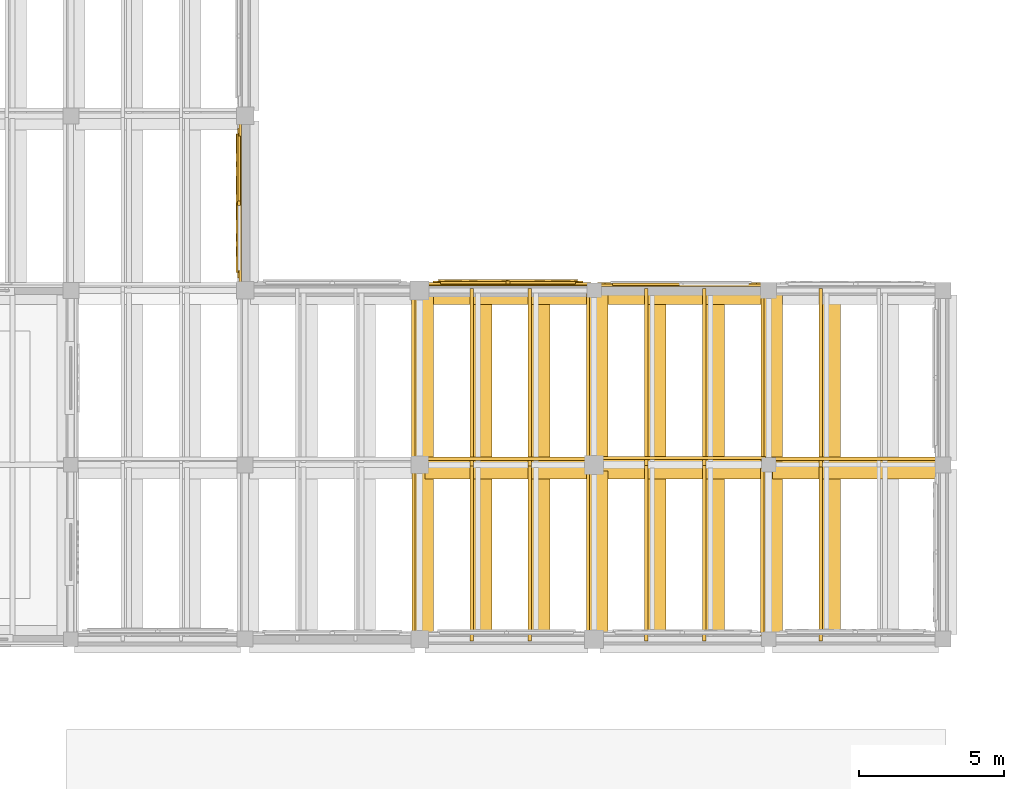
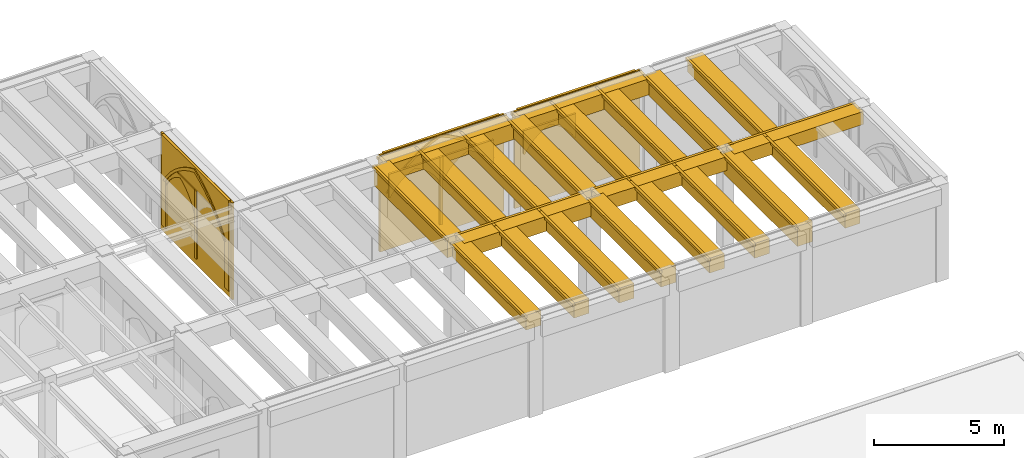
# One storey, part 125 of 127: 56 coverings.
"""IFC4 building model written with IfcOpenShell, lengths in metres."""

from ifc_helpers import new_model, si_unit, direction, frame, origin, origin_2d, place, context, subcontext, project, spatial, polyline, rectangle, outline, extrude, material, type_object, element, save


model = new_model("IFC4")

# Units and contexts
model_context = context("Model", 3, precision=1e-05, world=origin(), true_north=direction((0.0, 1.0)))
body_context = subcontext(model_context, "Body", "Model", "MODEL_VIEW")
ifc_project = project(units=[si_unit("LENGTHUNIT", "METRE"), si_unit("AREAUNIT", "SQUARE_METRE"), si_unit("VOLUMEUNIT", "CUBIC_METRE"), si_unit("PLANEANGLEUNIT", "RADIAN"), si_unit("MASSUNIT", "GRAM", prefix="KILO")], contexts=[model_context])

# Site, building, storey
site_placement = place(None, origin())
site = spatial("IfcSite", under=ifc_project, at=site_placement, CompositionType="ELEMENT")
building_placement = place(site_placement, origin())
building = spatial("IfcBuilding", under=site, at=building_placement, Name="Cumevento Cable Car Station", CompositionType="ELEMENT")
storey_placement = place(building_placement, frame((0.0, 0.0, 4.5)))
storey = spatial("IfcBuildingStorey", under=building, at=storey_placement, Name="L02", CompositionType="ELEMENT", Elevation=4.5)

# Coverings
ifc_material = material(Name="Gnaisse Facoidal Stone Ashlar 85 MPa", Category="masonry")
covering_type = type_object("IfcCoveringType", Name="Gnaisse Ashlar Cladding CV-CL01", PredefinedType="CLADDING", material=ifc_material)
covering_1_placement = place(storey_placement, frame((150.987548828125, 38.851318359375, 3.77587890625), z_axis=(0.0, 0.0, 1.0), x_axis=(1.0, 0.0, 0.0)))
element("IfcCovering", 1, at=covering_1_placement, inside=storey, type_object=covering_type, Name="Gothic Stone Spandrel Stringcourse sc:0462", PredefinedType="CLADDING", context=body_context, shape_type="SweptSolid", body=[
    extrude(rectangle(XDim=5.614990234375, YDim=0.66259765625, at=origin_2d()), origin(), (0.0, 0.0, 1.0), 0.694091796875),
])
covering_2_placement = place(storey_placement, frame((150.987548828125, 39.2099609375, 4.340087890625), z_axis=(0.0, 0.0, 1.0), x_axis=(1.0, 0.0, 0.0)))
element("IfcCovering", 2, at=covering_2_placement, inside=storey, type_object=covering_type, Name="Gothic Cornice Dripstone Lip sc:0462", PredefinedType="CLADDING", context=body_context, shape_type="SweptSolid", body=[
    extrude(rectangle(XDim=5.655029296875, YDim=0.114990234375, at=origin_2d()), origin(), (0.0, 0.0, 1.0), 0.1298828125),
])
covering_3_placement = place(storey_placement, frame((157.03759765625, 38.863525390625, 3.823974609375), z_axis=(0.0, 0.0, 1.0), x_axis=(1.0, 0.0, 0.0)))
element("IfcCovering", 3, at=covering_3_placement, inside=storey, type_object=covering_type, Name="Gothic Stone Spandrel Stringcourse sc:0463", PredefinedType="CLADDING", context=body_context, shape_type="SweptSolid", body=[
    extrude(rectangle(XDim=5.6650390625, YDim=0.68701171875, at=origin_2d()), origin(), (0.0, 0.0, 1.0), 0.64599609375),
])
covering_4_placement = place(storey_placement, frame((157.03759765625, 39.234619140625, 4.340087890625), z_axis=(0.0, 0.0, 1.0), x_axis=(1.0, 0.0, 0.0)))
element("IfcCovering", 4, at=covering_4_placement, inside=storey, type_object=covering_type, Name="Gothic Cornice Dripstone Lip sc:0463", PredefinedType="CLADDING", context=body_context, shape_type="SweptSolid", body=[
    extrude(rectangle(XDim=5.705078125, YDim=0.114990234375, at=origin_2d()), origin(), (0.0, 0.0, 1.0), 0.1298828125),
])
covering_5_placement = place(storey_placement, frame((162.987548828125, 38.85009765625, 3.864013671875), z_axis=(0.0, 0.0, 1.0), x_axis=(1.0, 0.0, 0.0)))
element("IfcCovering", 5, at=covering_5_placement, inside=storey, type_object=covering_type, Name="Gothic Stone Spandrel Stringcourse sc:0464", PredefinedType="CLADDING", context=body_context, shape_type="SweptSolid", body=[
    extrude(rectangle(XDim=5.715087890625, YDim=0.659912109375, at=origin_2d()), origin(), (0.0, 0.0, 1.0), 0.60595703125),
])
covering_6_placement = place(storey_placement, frame((162.987548828125, 39.20751953125, 4.340087890625), z_axis=(0.0, 0.0, 1.0), x_axis=(1.0, 0.0, 0.0)))
element("IfcCovering", 6, at=covering_6_placement, inside=storey, type_object=covering_type, Name="Gothic Cornice Dripstone Lip sc:0464", PredefinedType="CLADDING", context=body_context, shape_type="SweptSolid", body=[
    extrude(rectangle(XDim=5.7548828125, YDim=0.114990234375, at=origin_2d()), origin(), (0.0, 0.0, 1.0), 0.1298828125),
])
covering_7_placement = place(storey_placement, frame((151.03759765625, 44.85009765625, 3.722900390625), z_axis=(0.0, 0.0, 1.0), x_axis=(1.0, 0.0, 0.0)))
element("IfcCovering", 7, at=covering_7_placement, inside=storey, type_object=covering_type, Name="Gothic Stone Spandrel Stringcourse sc:0467", PredefinedType="CLADDING", context=body_context, shape_type="SweptSolid", body=[
    extrude(rectangle(XDim=5.6650390625, YDim=0.659912109375, at=origin_2d()), origin(), (0.0, 0.0, 1.0), 0.7470703125),
])
covering_8_placement = place(storey_placement, frame((151.03759765625, 45.20751953125, 4.340087890625), z_axis=(0.0, 0.0, 1.0), x_axis=(1.0, 0.0, 0.0)))
element("IfcCovering", 8, at=covering_8_placement, inside=storey, type_object=covering_type, Name="Gothic Cornice Dripstone Lip sc:0467", PredefinedType="CLADDING", context=body_context, shape_type="SweptSolid", body=[
    extrude(rectangle(XDim=5.705078125, YDim=0.114990234375, at=origin_2d()), origin(), (0.0, 0.0, 1.0), 0.1298828125),
])
covering_9_placement = place(storey_placement, frame((156.987548828125, 44.85009765625, 3.722900390625), z_axis=(0.0, 0.0, 1.0), x_axis=(1.0, 0.0, 0.0)))
element("IfcCovering", 9, at=covering_9_placement, inside=storey, type_object=covering_type, Name="Gothic Stone Spandrel Stringcourse sc:0468", PredefinedType="CLADDING", context=body_context, shape_type="SweptSolid", body=[
    extrude(rectangle(XDim=5.715087890625, YDim=0.659912109375, at=origin_2d()), origin(), (0.0, 0.0, 1.0), 0.7470703125),
])
covering_10_placement = place(storey_placement, frame((156.987548828125, 45.20751953125, 4.340087890625), z_axis=(0.0, 0.0, 1.0), x_axis=(1.0, 0.0, 0.0)))
element("IfcCovering", 10, at=covering_10_placement, inside=storey, type_object=covering_type, Name="Gothic Cornice Dripstone Lip sc:0468", PredefinedType="CLADDING", context=body_context, shape_type="SweptSolid", body=[
    extrude(rectangle(XDim=5.7548828125, YDim=0.114990234375, at=origin_2d()), origin(), (0.0, 0.0, 1.0), 0.1298828125),
])
covering_11_placement = place(storey_placement, frame((148.148681640625, 36.0, 3.77587890625), z_axis=(0.0, 0.0, 1.0), x_axis=(0.0, 1.0, 0.0)))
element("IfcCovering", 11, at=covering_11_placement, inside=storey, type_object=covering_type, Name="Gothic Stone Spandrel Stringcourse sc:0472", PredefinedType="CLADDING", context=body_context, shape_type="SweptSolid", body=[
    extrude(rectangle(XDim=5.639892578125, YDim=0.66259765625, at=origin_2d()), origin(), (0.0, 0.0, 1.0), 0.694091796875),
])
covering_12_placement = place(storey_placement, frame((147.7900390625, 36.0, 4.340087890625), z_axis=(0.0, 0.0, 1.0), x_axis=(0.0, 1.0, 0.0)))
element("IfcCovering", 12, at=covering_12_placement, inside=storey, type_object=covering_type, Name="Gothic Cornice Dripstone Lip sc:0472", PredefinedType="CLADDING", context=body_context, shape_type="SweptSolid", body=[
    extrude(rectangle(XDim=5.679931640625, YDim=0.114990234375, at=origin_2d()), origin(), (0.0, 0.0, 1.0), 0.1298828125),
])
covering_13_placement = place(storey_placement, frame((148.14306640625, 41.987548828125, 3.52197265625), z_axis=(0.0, 0.0, 1.0), x_axis=(0.0, 1.0, 0.0)))
element("IfcCovering", 13, at=covering_13_placement, inside=storey, type_object=covering_type, Name="Gothic Stone Spandrel Stringcourse sc:0473", PredefinedType="CLADDING", context=body_context, shape_type="SweptSolid", body=[
    extrude(rectangle(XDim=5.614990234375, YDim=0.674072265625, at=origin_2d()), origin(), (0.0, 0.0, 1.0), 0.947998046875),
])
covering_14_placement = place(storey_placement, frame((147.778564453125, 41.987548828125, 4.340087890625), z_axis=(0.0, 0.0, 1.0), x_axis=(0.0, 1.0, 0.0)))
element("IfcCovering", 14, at=covering_14_placement, inside=storey, type_object=covering_type, Name="Gothic Cornice Dripstone Lip sc:0473", PredefinedType="CLADDING", context=body_context, shape_type="SweptSolid", body=[
    extrude(rectangle(XDim=5.655029296875, YDim=0.114990234375, at=origin_2d()), origin(), (0.0, 0.0, 1.0), 0.1298828125),
])
covering_15_placement = place(storey_placement, frame((154.14990234375, 36.0, 3.6728515625), z_axis=(0.0, 0.0, 1.0), x_axis=(0.0, 1.0, 0.0)))
element("IfcCovering", 15, at=covering_15_placement, inside=storey, type_object=covering_type, Name="Gothic Stone Spandrel Stringcourse sc:0474", PredefinedType="CLADDING", context=body_context, shape_type="SweptSolid", body=[
    extrude(rectangle(XDim=5.590087890625, YDim=0.659912109375, at=origin_2d()), origin(), (0.0, 0.0, 1.0), 0.797119140625),
])
covering_16_placement = place(storey_placement, frame((153.79248046875, 36.0, 4.340087890625), z_axis=(0.0, 0.0, 1.0), x_axis=(0.0, 1.0, 0.0)))
element("IfcCovering", 16, at=covering_16_placement, inside=storey, type_object=covering_type, Name="Gothic Cornice Dripstone Lip sc:0474", PredefinedType="CLADDING", context=body_context, shape_type="SweptSolid", body=[
    extrude(rectangle(XDim=5.6298828125, YDim=0.114990234375, at=origin_2d()), origin(), (0.0, 0.0, 1.0), 0.1298828125),
])
covering_17_placement = place(storey_placement, frame((154.148681640625, 42.03759765625, 3.77587890625), z_axis=(0.0, 0.0, 1.0), x_axis=(0.0, 1.0, 0.0)))
element("IfcCovering", 17, at=covering_17_placement, inside=storey, type_object=covering_type, Name="Gothic Stone Spandrel Stringcourse sc:0475", PredefinedType="CLADDING", context=body_context, shape_type="SweptSolid", body=[
    extrude(rectangle(XDim=5.6650390625, YDim=0.66259765625, at=origin_2d()), origin(), (0.0, 0.0, 1.0), 0.694091796875),
])
covering_18_placement = place(storey_placement, frame((153.7900390625, 42.03759765625, 4.340087890625), z_axis=(0.0, 0.0, 1.0), x_axis=(0.0, 1.0, 0.0)))
element("IfcCovering", 18, at=covering_18_placement, inside=storey, type_object=covering_type, Name="Gothic Cornice Dripstone Lip sc:0475", PredefinedType="CLADDING", context=body_context, shape_type="SweptSolid", body=[
    extrude(rectangle(XDim=5.705078125, YDim=0.114990234375, at=origin_2d()), origin(), (0.0, 0.0, 1.0), 0.1298828125),
])
covering_19_placement = place(storey_placement, frame((160.14306640625, 36.0, 3.52197265625), z_axis=(0.0, 0.0, 1.0), x_axis=(0.0, 1.0, 0.0)))
element("IfcCovering", 19, at=covering_19_placement, inside=storey, type_object=covering_type, Name="Gothic Stone Spandrel Stringcourse sc:0476", PredefinedType="CLADDING", context=body_context, shape_type="SweptSolid", body=[
    extrude(rectangle(XDim=5.739990234375, YDim=0.674072265625, at=origin_2d()), origin(), (0.0, 0.0, 1.0), 0.947998046875),
])
covering_20_placement = place(storey_placement, frame((159.778564453125, 36.0, 4.340087890625), z_axis=(0.0, 0.0, 1.0), x_axis=(0.0, 1.0, 0.0)))
element("IfcCovering", 20, at=covering_20_placement, inside=storey, type_object=covering_type, Name="Gothic Cornice Dripstone Lip sc:0476", PredefinedType="CLADDING", context=body_context, shape_type="SweptSolid", body=[
    extrude(rectangle(XDim=5.780029296875, YDim=0.114990234375, at=origin_2d()), origin(), (0.0, 0.0, 1.0), 0.1298828125),
])
covering_21_placement = place(storey_placement, frame((160.14990234375, 41.987548828125, 3.6728515625), z_axis=(0.0, 0.0, 1.0), x_axis=(0.0, 1.0, 0.0)))
element("IfcCovering", 21, at=covering_21_placement, inside=storey, type_object=covering_type, Name="Gothic Stone Spandrel Stringcourse sc:0477", PredefinedType="CLADDING", context=body_context, shape_type="SweptSolid", body=[
    extrude(rectangle(XDim=5.715087890625, YDim=0.659912109375, at=origin_2d()), origin(), (0.0, 0.0, 1.0), 0.797119140625),
])
covering_22_placement = place(storey_placement, frame((159.79248046875, 41.987548828125, 4.340087890625), z_axis=(0.0, 0.0, 1.0), x_axis=(0.0, 1.0, 0.0)))
element("IfcCovering", 22, at=covering_22_placement, inside=storey, type_object=covering_type, Name="Gothic Cornice Dripstone Lip sc:0477", PredefinedType="CLADDING", context=body_context, shape_type="SweptSolid", body=[
    extrude(rectangle(XDim=5.7548828125, YDim=0.114990234375, at=origin_2d()), origin(), (0.0, 0.0, 1.0), 0.1298828125),
])
covering_23_placement = place(storey_placement, frame((150.14990234375, 35.9931640625, 3.77490234375), z_axis=(0.0, 0.0, 1.0), x_axis=(0.0, 1.0, 0.0)))
element("IfcCovering", 23, at=covering_23_placement, inside=storey, type_object=covering_type, Name="Gothic Stone Spandrel Stringcourse sc:0560", PredefinedType="CLADDING", context=body_context, shape_type="SweptSolid", body=[
    extrude(rectangle(XDim=6.072509765625, YDim=0.659912109375, at=origin_2d()), origin(), (0.0, 0.0, 1.0), 0.695068359375),
])
covering_24_placement = place(storey_placement, frame((149.79248046875, 35.9931640625, 4.340087890625), z_axis=(0.0, 0.0, 1.0), x_axis=(0.0, 1.0, 0.0)))
element("IfcCovering", 24, at=covering_24_placement, inside=storey, type_object=covering_type, Name="Gothic Cornice Dripstone Lip sc:0560", PredefinedType="CLADDING", context=body_context, shape_type="SweptSolid", body=[
    extrude(rectangle(XDim=6.112548828125, YDim=0.114990234375, at=origin_2d()), origin(), (0.0, 0.0, 1.0), 0.1298828125),
])
covering_25_placement = place(storey_placement, frame((150.14990234375, 42.0068359375, 3.77490234375), z_axis=(0.0, 0.0, 1.0), x_axis=(0.0, 1.0, 0.0)))
element("IfcCovering", 25, at=covering_25_placement, inside=storey, type_object=covering_type, Name="Gothic Stone Spandrel Stringcourse sc:0561", PredefinedType="CLADDING", context=body_context, shape_type="SweptSolid", body=[
    extrude(rectangle(XDim=6.072509765625, YDim=0.659912109375, at=origin_2d()), origin(), (0.0, 0.0, 1.0), 0.695068359375),
])
covering_26_placement = place(storey_placement, frame((149.79248046875, 42.0068359375, 4.340087890625), z_axis=(0.0, 0.0, 1.0), x_axis=(0.0, 1.0, 0.0)))
element("IfcCovering", 26, at=covering_26_placement, inside=storey, type_object=covering_type, Name="Gothic Cornice Dripstone Lip sc:0561", PredefinedType="CLADDING", context=body_context, shape_type="SweptSolid", body=[
    extrude(rectangle(XDim=6.112548828125, YDim=0.114990234375, at=origin_2d()), origin(), (0.0, 0.0, 1.0), 0.1298828125),
])
covering_27_placement = place(storey_placement, frame((152.14990234375, 35.9931640625, 3.77490234375), z_axis=(0.0, 0.0, 1.0), x_axis=(0.0, 1.0, 0.0)))
element("IfcCovering", 27, at=covering_27_placement, inside=storey, type_object=covering_type, Name="Gothic Stone Spandrel Stringcourse sc:0562", PredefinedType="CLADDING", context=body_context, shape_type="SweptSolid", body=[
    extrude(rectangle(XDim=6.072509765625, YDim=0.659912109375, at=origin_2d()), origin(), (0.0, 0.0, 1.0), 0.695068359375),
])
covering_28_placement = place(storey_placement, frame((151.79248046875, 35.9931640625, 4.340087890625), z_axis=(0.0, 0.0, 1.0), x_axis=(0.0, 1.0, 0.0)))
element("IfcCovering", 28, at=covering_28_placement, inside=storey, type_object=covering_type, Name="Gothic Cornice Dripstone Lip sc:0562", PredefinedType="CLADDING", context=body_context, shape_type="SweptSolid", body=[
    extrude(rectangle(XDim=6.112548828125, YDim=0.114990234375, at=origin_2d()), origin(), (0.0, 0.0, 1.0), 0.1298828125),
])
covering_29_placement = place(storey_placement, frame((152.14990234375, 42.0068359375, 3.77490234375), z_axis=(0.0, 0.0, 1.0), x_axis=(0.0, 1.0, 0.0)))
element("IfcCovering", 29, at=covering_29_placement, inside=storey, type_object=covering_type, Name="Gothic Stone Spandrel Stringcourse sc:0563", PredefinedType="CLADDING", context=body_context, shape_type="SweptSolid", body=[
    extrude(rectangle(XDim=6.072509765625, YDim=0.659912109375, at=origin_2d()), origin(), (0.0, 0.0, 1.0), 0.695068359375),
])
covering_30_placement = place(storey_placement, frame((151.79248046875, 42.0068359375, 4.340087890625), z_axis=(0.0, 0.0, 1.0), x_axis=(0.0, 1.0, 0.0)))
element("IfcCovering", 30, at=covering_30_placement, inside=storey, type_object=covering_type, Name="Gothic Cornice Dripstone Lip sc:0563", PredefinedType="CLADDING", context=body_context, shape_type="SweptSolid", body=[
    extrude(rectangle(XDim=6.112548828125, YDim=0.114990234375, at=origin_2d()), origin(), (0.0, 0.0, 1.0), 0.1298828125),
])
covering_31_placement = place(storey_placement, frame((156.14990234375, 35.98095703125, 3.77490234375), z_axis=(0.0, 0.0, 1.0), x_axis=(0.0, 1.0, 0.0)))
element("IfcCovering", 31, at=covering_31_placement, inside=storey, type_object=covering_type, Name="Gothic Stone Spandrel Stringcourse sc:0564", PredefinedType="CLADDING", context=body_context, shape_type="SweptSolid", body=[
    extrude(rectangle(XDim=6.048095703125, YDim=0.659912109375, at=origin_2d()), origin(), (0.0, 0.0, 1.0), 0.695068359375),
])
covering_32_placement = place(storey_placement, frame((155.79248046875, 35.98095703125, 4.340087890625), z_axis=(0.0, 0.0, 1.0), x_axis=(0.0, 1.0, 0.0)))
element("IfcCovering", 32, at=covering_32_placement, inside=storey, type_object=covering_type, Name="Gothic Cornice Dripstone Lip sc:0564", PredefinedType="CLADDING", context=body_context, shape_type="SweptSolid", body=[
    extrude(rectangle(XDim=6.087890625, YDim=0.114990234375, at=origin_2d()), origin(), (0.0, 0.0, 1.0), 0.1298828125),
])
covering_33_placement = place(storey_placement, frame((156.14990234375, 42.01904296875, 3.77490234375), z_axis=(0.0, 0.0, 1.0), x_axis=(0.0, 1.0, 0.0)))
element("IfcCovering", 33, at=covering_33_placement, inside=storey, type_object=covering_type, Name="Gothic Stone Spandrel Stringcourse sc:0565", PredefinedType="CLADDING", context=body_context, shape_type="SweptSolid", body=[
    extrude(rectangle(XDim=6.048095703125, YDim=0.659912109375, at=origin_2d()), origin(), (0.0, 0.0, 1.0), 0.695068359375),
])
covering_34_placement = place(storey_placement, frame((155.79248046875, 42.01904296875, 4.340087890625), z_axis=(0.0, 0.0, 1.0), x_axis=(0.0, 1.0, 0.0)))
element("IfcCovering", 34, at=covering_34_placement, inside=storey, type_object=covering_type, Name="Gothic Cornice Dripstone Lip sc:0565", PredefinedType="CLADDING", context=body_context, shape_type="SweptSolid", body=[
    extrude(rectangle(XDim=6.087890625, YDim=0.114990234375, at=origin_2d()), origin(), (0.0, 0.0, 1.0), 0.1298828125),
])
covering_35_placement = place(storey_placement, frame((158.14990234375, 35.98095703125, 3.77490234375), z_axis=(0.0, 0.0, 1.0), x_axis=(0.0, 1.0, 0.0)))
element("IfcCovering", 35, at=covering_35_placement, inside=storey, type_object=covering_type, Name="Gothic Stone Spandrel Stringcourse sc:0566", PredefinedType="CLADDING", context=body_context, shape_type="SweptSolid", body=[
    extrude(rectangle(XDim=6.048095703125, YDim=0.659912109375, at=origin_2d()), origin(), (0.0, 0.0, 1.0), 0.695068359375),
])
covering_36_placement = place(storey_placement, frame((157.79248046875, 35.98095703125, 4.340087890625), z_axis=(0.0, 0.0, 1.0), x_axis=(0.0, 1.0, 0.0)))
element("IfcCovering", 36, at=covering_36_placement, inside=storey, type_object=covering_type, Name="Gothic Cornice Dripstone Lip sc:0566", PredefinedType="CLADDING", context=body_context, shape_type="SweptSolid", body=[
    extrude(rectangle(XDim=6.087890625, YDim=0.114990234375, at=origin_2d()), origin(), (0.0, 0.0, 1.0), 0.1298828125),
])
covering_37_placement = place(storey_placement, frame((158.14990234375, 42.01904296875, 3.77490234375), z_axis=(0.0, 0.0, 1.0), x_axis=(0.0, 1.0, 0.0)))
element("IfcCovering", 37, at=covering_37_placement, inside=storey, type_object=covering_type, Name="Gothic Stone Spandrel Stringcourse sc:0567", PredefinedType="CLADDING", context=body_context, shape_type="SweptSolid", body=[
    extrude(rectangle(XDim=6.048095703125, YDim=0.659912109375, at=origin_2d()), origin(), (0.0, 0.0, 1.0), 0.695068359375),
])
covering_38_placement = place(storey_placement, frame((157.79248046875, 42.01904296875, 4.340087890625), z_axis=(0.0, 0.0, 1.0), x_axis=(0.0, 1.0, 0.0)))
element("IfcCovering", 38, at=covering_38_placement, inside=storey, type_object=covering_type, Name="Gothic Cornice Dripstone Lip sc:0567", PredefinedType="CLADDING", context=body_context, shape_type="SweptSolid", body=[
    extrude(rectangle(XDim=6.087890625, YDim=0.114990234375, at=origin_2d()), origin(), (0.0, 0.0, 1.0), 0.1298828125),
])
covering_39_placement = place(storey_placement, frame((162.14990234375, 36.007568359375, 3.77490234375), z_axis=(0.0, 0.0, 1.0), x_axis=(0.0, 1.0, 0.0)))
element("IfcCovering", 39, at=covering_39_placement, inside=storey, type_object=covering_type, Name="Gothic Stone Spandrel Stringcourse sc:0568", PredefinedType="CLADDING", context=body_context, shape_type="SweptSolid", body=[
    extrude(rectangle(XDim=6.10107421875, YDim=0.659912109375, at=origin_2d()), origin(), (0.0, 0.0, 1.0), 0.695068359375),
])
covering_40_placement = place(storey_placement, frame((161.79248046875, 36.007568359375, 4.340087890625), z_axis=(0.0, 0.0, 1.0), x_axis=(0.0, 1.0, 0.0)))
element("IfcCovering", 40, at=covering_40_placement, inside=storey, type_object=covering_type, Name="Gothic Cornice Dripstone Lip sc:0568", PredefinedType="CLADDING", context=body_context, shape_type="SweptSolid", body=[
    extrude(rectangle(XDim=6.14111328125, YDim=0.114990234375, at=origin_2d()), origin(), (0.0, 0.0, 1.0), 0.1298828125),
])
covering_41_placement = place(storey_placement, frame((162.14990234375, 41.992431640625, 3.77490234375), z_axis=(0.0, 0.0, 1.0), x_axis=(0.0, 1.0, 0.0)))
element("IfcCovering", 41, at=covering_41_placement, inside=storey, type_object=covering_type, Name="Gothic Stone Spandrel Stringcourse sc:0569", PredefinedType="CLADDING", context=body_context, shape_type="SweptSolid", body=[
    extrude(rectangle(XDim=6.10107421875, YDim=0.659912109375, at=origin_2d()), origin(), (0.0, 0.0, 1.0), 0.695068359375),
])
covering_42_placement = place(storey_placement, frame((161.79248046875, 41.992431640625, 4.340087890625), z_axis=(0.0, 0.0, 1.0), x_axis=(0.0, 1.0, 0.0)))
element("IfcCovering", 42, at=covering_42_placement, inside=storey, type_object=covering_type, Name="Gothic Cornice Dripstone Lip sc:0569", PredefinedType="CLADDING", context=body_context, shape_type="SweptSolid", body=[
    extrude(rectangle(XDim=6.14111328125, YDim=0.114990234375, at=origin_2d()), origin(), (0.0, 0.0, 1.0), 0.1298828125),
])
covering_43_placement = place(storey_placement, frame((148.324951171875, 45.0, 0.0), z_axis=(0.0, 0.0, 1.0), x_axis=(1.0, 0.0, 0.0)))
element("IfcCovering", 43, at=covering_43_placement, inside=storey, type_object=covering_type, Name="Exterior Gnaisse Stone Wall Ashlar #95", PredefinedType="CLADDING", context=body_context, shape_type="SweptSolid", body=[
    extrude(outline(polyline([(-0.0400390625, -0.02001953125), (5.465087890625, -0.02001953125), (5.465087890625, 4.52001953125), (-0.0400390625, 4.52001953125), (-0.0400390625, -0.02001953125)])), frame((0.0, 0.27490234375, 0.0), z_axis=(0.0, -1.0, 0.0), x_axis=(1.0, 0.0, 0.0)), (0.0, 0.0, 1.0), 0.0849609375),
])
placement_1 = place(storey_placement, frame((148.5048828125, 45.0, 0.300048828125), z_axis=(0.0, 0.0, 1.0), x_axis=(1.0, 0.0, 0.0)))
element("IfcCovering", 44, at=placement_1, inside=storey, type_object=covering_type, Name="Gothic Ogival Pointed-Arch Stone Spandrel blind_ogival:0095", PredefinedType="CLADDING", context=body_context, shape_type="SweptSolid", body=[
    extrude(outline(polyline([(-0.050048828125, 0.0), (-0.050048828125, 4.239990234375), (5.114990234375, 4.239990234375), (5.114990234375, 0.0), (4.804931640625, 0.0), (4.804931640625, 2.219970703125), (4.554931640625, 2.55810546875), (4.27587890625, 2.873046875), (3.970458984375, 3.162109375), (3.640625, 3.42333984375), (3.289306640625, 3.654541015625), (2.9189453125, 3.85400390625), (2.532470703125, 4.02001953125), (2.14599609375, 3.85400390625), (1.775634765625, 3.654541015625), (1.42431640625, 3.42333984375), (1.094482421875, 3.162109375), (0.7890625, 2.873046875), (0.510009765625, 2.55810546875), (0.260009765625, 2.219970703125), (0.260009765625, 0.0), (-0.050048828125, 0.0)])), frame((0.0, 0.330078125, 0.0), z_axis=(0.0, -1.0, 0.0), x_axis=(1.0, 0.0, 0.0)), (0.0, 0.0, 1.0), 0.110107421875),
])
covering_45_placement = place(storey_placement, frame((148.5048828125, 45.0, 2.52001953125), z_axis=(0.0, 0.0, 1.0), x_axis=(1.0, 0.0, 0.0)))
element("IfcCovering", 45, at=covering_45_placement, inside=storey, type_object=covering_type, Name="Gothic Pointed Archivolt Hood Moulding blind_ogival:0095", PredefinedType="CLADDING", context=body_context, shape_type="SweptSolid", body=[
    extrude(outline(polyline([(0.260009765625, 0.0), (0.510009765625, 0.338134765625), (0.7890625, 0.653076171875), (1.094482421875, 0.942138671875), (1.42431640625, 1.203369140625), (1.775634765625, 1.4345703125), (2.14599609375, 1.634033203125), (2.532470703125, 1.800048828125), (2.9189453125, 1.634033203125), (3.289306640625, 1.4345703125), (3.640625, 1.203369140625), (3.970458984375, 0.942138671875), (4.27587890625, 0.653076171875), (4.554931640625, 0.338134765625), (4.804931640625, 0.0), (4.926025390625, 0.0), (4.66650390625, 0.36572265625), (4.375244140625, 0.70654296875), (4.054443359375, 1.019775390625), (3.70703125, 1.30322265625), (3.33544921875, 1.55419921875), (2.94287109375, 1.770751953125), (2.532470703125, 1.951171875), (2.1220703125, 1.770751953125), (1.7294921875, 1.55419921875), (1.35791015625, 1.30322265625), (1.010498046875, 1.019775390625), (0.689697265625, 0.70654296875), (0.3984375, 0.36572265625), (0.138916015625, 0.0), (0.260009765625, 0.0)])), frame((0.0, 0.3720703125, 0.0), z_axis=(0.0, -1.0, 0.0), x_axis=(1.0, 0.0, 0.0)), (0.0, 0.0, 1.0), 0.06689453125),
])
element("IfcCovering", 46, at=placement_1, inside=storey, type_object=covering_type, Name="Gothic Bifora Stone Colonnette blind_ogival:0095 #1", PredefinedType="CLADDING", context=body_context, shape_type="SweptSolid", body=[
    extrude(outline(polyline([(2.45751953125, -0.02001953125), (2.607421875, -0.02001953125), (2.607421875, 3.156005859375), (2.45751953125, 3.156005859375), (2.45751953125, -0.02001953125)])), frame((0.0, 0.318115234375, 0.0), z_axis=(0.0, -1.0, 0.0), x_axis=(1.0, 0.0, 0.0)), (0.0, 0.0, 1.0), 0.094970703125),
])
for number, where, z_axis, x_axis, name in (
    (47, (148.735107421875, 45.0, 2.340087890625), (0.0, 0.0, 1.0), (1.0, 0.0, 0.0), "Gothic Ogival Pointed-Arch Stone Spandrel blind_ogival:0095:sub:0"),
    (48, (151.08251953125, 45.0, 2.340087890625), (0.0, 0.0, 1.0), (1.0, 0.0, 0.0), "Gothic Ogival Pointed-Arch Stone Spandrel blind_ogival:0095:sub:1"),
):
    element("IfcCovering", number, at=place(storey_placement, frame(where, z_axis=z_axis, x_axis=x_axis)), inside=storey, type_object=covering_type, Name=name, PredefinedType="CLADDING", context=body_context, shape_type="SweptSolid", body=[
        extrude(outline(polyline([(-0.02001953125, 0.0), (-0.02001953125, 1.115966796875), (2.277587890625, 1.115966796875), (2.277587890625, 0.0), (2.217529296875, 0.0), (2.08740234375, 0.214111328125), (1.933837890625, 0.412353515625), (1.7587890625, 0.591796875), (1.564697265625, 0.75), (1.353759765625, 0.885498046875), (1.128662109375, 0.99609375), (0.90380859375, 0.885498046875), (0.69287109375, 0.75), (0.498779296875, 0.591796875), (0.32373046875, 0.412353515625), (0.170166015625, 0.214111328125), (0.0400390625, 0.0), (-0.02001953125, 0.0)])), frame((0.0, 0.31396484375, 0.0), z_axis=(0.0, -1.0, 0.0), x_axis=(1.0, 0.0, 0.0)), (0.0, 0.0, 1.0), 0.090087890625),
    ])
covering_47_placement = place(storey_placement, frame((154.25, 45.0, 0.0), z_axis=(0.0, 0.0, 1.0), x_axis=(1.0, 0.0, 0.0)))
element("IfcCovering", 49, at=covering_47_placement, inside=storey, type_object=covering_type, Name="Exterior Gnaisse Stone Wall Ashlar #96", PredefinedType="CLADDING", context=body_context, shape_type="SweptSolid", body=[
    extrude(outline(polyline([(-0.0400390625, -0.02001953125), (5.514892578125, -0.02001953125), (5.514892578125, 4.52001953125), (-0.0400390625, 4.52001953125), (-0.0400390625, -0.02001953125)])), frame((0.0, 0.215087890625, 0.0), z_axis=(0.0, -1.0, 0.0), x_axis=(1.0, 0.0, 0.0)), (0.0, 0.0, 1.0), 0.0849609375),
])
covering_48_placement = place(storey_placement, frame((154.429931640625, 45.0, 0.300048828125), z_axis=(0.0, 0.0, 1.0), x_axis=(1.0, 0.0, 0.0)))
element("IfcCovering", 50, at=covering_48_placement, inside=storey, type_object=covering_type, Name="Gothic Ogival Pointed-Arch Stone Spandrel blind_ogival:0096", PredefinedType="CLADDING", context=body_context, shape_type="SweptSolid", body=[
    extrude(outline(polyline([(-0.050048828125, 0.0), (-0.050048828125, 4.239990234375), (5.1650390625, 4.239990234375), (5.1650390625, 0.0), (4.85498046875, 0.0), (4.85498046875, 2.219970703125), (4.600830078125, 2.55859375), (4.31787109375, 2.87353515625), (4.0087890625, 3.162841796875), (3.67529296875, 3.423828125), (3.320556640625, 3.65478515625), (2.947021484375, 3.85400390625), (2.5576171875, 4.02001953125), (2.16796875, 3.85400390625), (1.79443359375, 3.65478515625), (1.439697265625, 3.423828125), (1.106201171875, 3.162841796875), (0.797119140625, 2.87353515625), (0.51416015625, 2.55859375), (0.260009765625, 2.219970703125), (0.260009765625, 0.0), (-0.050048828125, 0.0)])), frame((0.0, 0.27001953125, 0.0), z_axis=(0.0, -1.0, 0.0), x_axis=(1.0, 0.0, 0.0)), (0.0, 0.0, 1.0), 0.110107421875),
])
covering_49_placement = place(storey_placement, frame((154.659912109375, 45.0, 2.340087890625), z_axis=(0.0, 0.0, 1.0), x_axis=(1.0, 0.0, 0.0)))
element("IfcCovering", 51, at=covering_49_placement, inside=storey, type_object=covering_type, Name="Gothic Ogival Pointed-Arch Stone Spandrel blind_ogival:0096:sub:0", PredefinedType="CLADDING", context=body_context, shape_type="SweptSolid", body=[
    extrude(outline(polyline([(-0.02001953125, 0.0), (-0.02001953125, 1.115966796875), (2.302490234375, 1.115966796875), (2.302490234375, 0.0), (2.242431640625, 0.0), (2.10986328125, 0.21435546875), (1.9541015625, 0.41259765625), (1.77685546875, 0.592041015625), (1.58056640625, 0.750244140625), (1.367919921875, 0.885498046875), (1.141357421875, 0.99609375), (0.91455078125, 0.885498046875), (0.701904296875, 0.750244140625), (0.505615234375, 0.592041015625), (0.328369140625, 0.41259765625), (0.172607421875, 0.21435546875), (0.0400390625, 0.0), (-0.02001953125, 0.0)])), frame((0.0, 0.25390625, 0.0), z_axis=(0.0, -1.0, 0.0), x_axis=(1.0, 0.0, 0.0)), (0.0, 0.0, 1.0), 0.090087890625),
])
covering_50_placement = place(storey_placement, frame((142.0, 45.300048828125, 0.0), z_axis=(0.0, 0.0, 1.0), x_axis=(0.0, 1.0, 0.0)))
element("IfcCovering", 52, at=covering_50_placement, inside=storey, type_object=covering_type, Name="Exterior Gnaisse Stone Wall Ashlar #108", PredefinedType="CLADDING", context=body_context, shape_type="SweptSolid", body=[
    extrude(outline(polyline([(-0.0400390625, -0.02001953125), (5.43994140625, -0.02001953125), (5.43994140625, 4.52001953125), (-0.0400390625, 4.52001953125), (-0.0400390625, -0.02001953125)])), frame((0.0, 0.215087890625, 0.0), z_axis=(0.0, -1.0, 0.0), x_axis=(1.0, 0.0, 0.0)), (0.0, 0.0, 1.0), 0.0849609375),
])
placement_2 = place(storey_placement, frame((142.0, 45.47998046875, 0.300048828125), z_axis=(0.0, 0.0, 1.0), x_axis=(0.0, 1.0, 0.0)))
element("IfcCovering", 53, at=placement_2, inside=storey, type_object=covering_type, Name="Gothic Ogival Pointed-Arch Stone Spandrel blind_ogival:0108", PredefinedType="CLADDING", context=body_context, shape_type="SweptSolid", body=[
    extrude(outline(polyline([(-0.050048828125, 0.0), (-0.050048828125, 4.239990234375), (5.090087890625, 4.239990234375), (5.090087890625, 0.0), (4.780029296875, 0.0), (4.780029296875, 2.219970703125), (4.531982421875, 2.55810546875), (4.255126953125, 2.872802734375), (3.951416015625, 3.161865234375), (3.62353515625, 3.423095703125), (3.273681640625, 3.654296875), (2.905029296875, 3.853759765625), (2.52001953125, 4.02001953125), (2.135009765625, 3.853759765625), (1.766357421875, 3.654296875), (1.41650390625, 3.423095703125), (1.088623046875, 3.161865234375), (0.784912109375, 2.872802734375), (0.508056640625, 2.55810546875), (0.260009765625, 2.219970703125), (0.260009765625, 0.0), (-0.050048828125, 0.0)])), frame((0.0, 0.27001953125, 0.0), z_axis=(0.0, -1.0, 0.0), x_axis=(1.0, 0.0, 0.0)), (0.0, 0.0, 1.0), 0.110107421875),
])
covering_52_placement = place(storey_placement, frame((142.0, 45.47998046875, 2.52001953125), z_axis=(0.0, 0.0, 1.0), x_axis=(0.0, 1.0, 0.0)))
element("IfcCovering", 54, at=covering_52_placement, inside=storey, type_object=covering_type, Name="Gothic Pointed Archivolt Hood Moulding blind_ogival:0108", PredefinedType="CLADDING", context=body_context, shape_type="SweptSolid", body=[
    extrude(outline(polyline([(0.260009765625, 0.0), (0.508056640625, 0.338134765625), (0.784912109375, 0.65283203125), (1.088623046875, 0.94189453125), (1.41650390625, 1.203125), (1.766357421875, 1.434326171875), (2.135009765625, 1.6337890625), (2.52001953125, 1.800048828125), (2.905029296875, 1.6337890625), (3.273681640625, 1.434326171875), (3.62353515625, 1.203125), (3.951416015625, 0.94189453125), (4.255126953125, 0.65283203125), (4.531982421875, 0.338134765625), (4.780029296875, 0.0), (4.90087890625, 0.0), (4.6435546875, 0.365478515625), (4.354248046875, 0.706298828125), (4.03564453125, 1.01953125), (3.689697265625, 1.302978515625), (3.31982421875, 1.553955078125), (2.928955078125, 1.770751953125), (2.52001953125, 1.951171875), (2.111083984375, 1.770751953125), (1.72021484375, 1.553955078125), (1.350341796875, 1.302978515625), (1.00439453125, 1.01953125), (0.685791015625, 0.706298828125), (0.396484375, 0.365478515625), (0.138916015625, 0.0), (0.260009765625, 0.0)])), frame((0.0, 0.31201171875, 0.0), z_axis=(0.0, -1.0, 0.0), x_axis=(1.0, 0.0, 0.0)), (0.0, 0.0, 1.0), 0.06689453125),
])
element("IfcCovering", 55, at=placement_2, inside=storey, type_object=covering_type, Name="Gothic Bifora Stone Colonnette blind_ogival:0108 #1", PredefinedType="CLADDING", context=body_context, shape_type="SweptSolid", body=[
    extrude(outline(polyline([(2.445068359375, -0.02001953125), (2.594970703125, -0.02001953125), (2.594970703125, 3.156005859375), (2.445068359375, 3.156005859375), (2.445068359375, -0.02001953125)])), frame((0.0, 0.258056640625, 0.0), z_axis=(0.0, -1.0, 0.0), x_axis=(1.0, 0.0, 0.0)), (0.0, 0.0, 1.0), 0.094970703125),
])
covering_54_placement = place(storey_placement, frame((142.0, 48.044921875, 2.340087890625), z_axis=(0.0, 0.0, 1.0), x_axis=(0.0, 1.0, 0.0)))
element("IfcCovering", 56, at=covering_54_placement, inside=storey, type_object=covering_type, Name="Gothic Ogival Pointed-Arch Stone Spandrel blind_ogival:0108:sub:1", PredefinedType="CLADDING", context=body_context, shape_type="SweptSolid", body=[
    extrude(outline(polyline([(-0.02001953125, 0.0), (-0.02001953125, 1.115966796875), (2.264892578125, 1.115966796875), (2.264892578125, 0.0), (2.205078125, 0.0), (2.076171875, 0.214111328125), (1.923828125, 0.412109375), (1.75, 0.591552734375), (1.556640625, 0.75), (1.3466796875, 0.88525390625), (1.12255859375, 0.99609375), (0.8984375, 0.88525390625), (0.6884765625, 0.75), (0.4951171875, 0.591552734375), (0.3212890625, 0.412109375), (0.1689453125, 0.214111328125), (0.0400390625, 0.0), (-0.02001953125, 0.0)])), frame((0.0, 0.25390625, 0.0), z_axis=(0.0, -1.0, 0.0), x_axis=(1.0, 0.0, 0.0)), (0.0, 0.0, 1.0), 0.090087890625),
])

save(model, "model.ifc")
